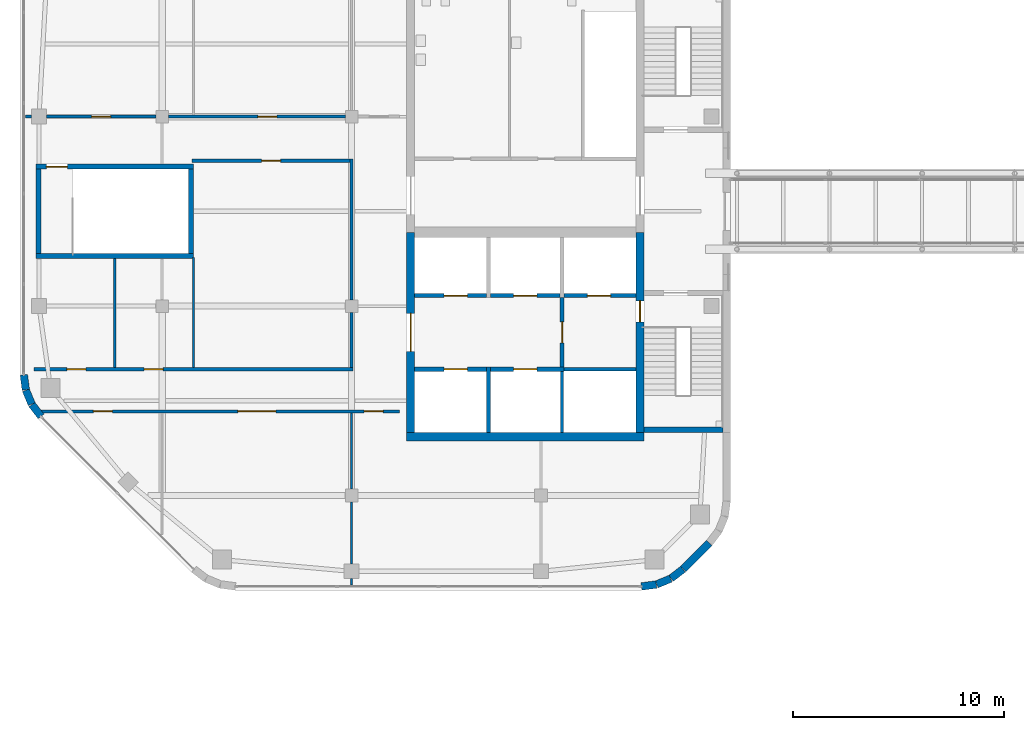
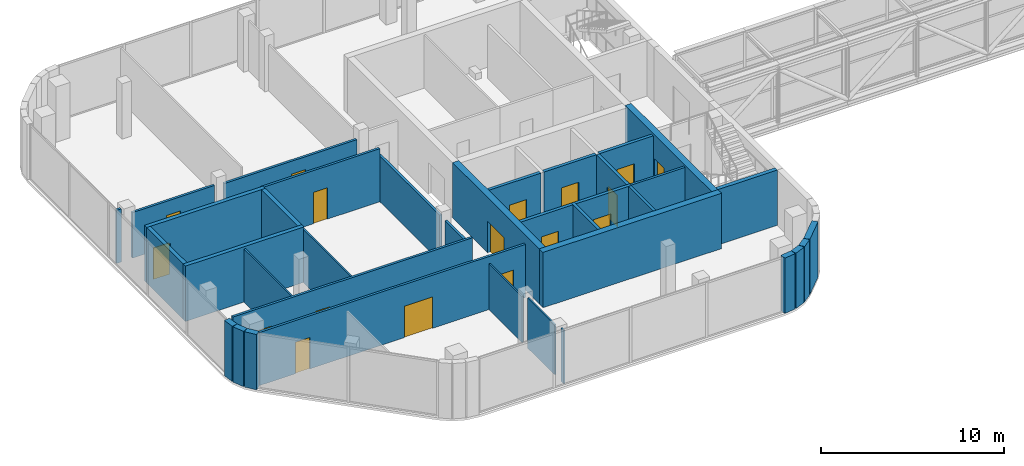
# One storey, part 11 of 21: 37 walls, 17 doors, 17 openings.
"""IFC4 building model written with IfcOpenShell, lengths in metres."""

from ifc_helpers import new_model, si_unit, direction, frame, frame_2d, origin, place, context, subcontext, project, spatial, rectangle, extrude, material, layer, layer_set, type_object, element, fill, save


model = new_model("IFC4")

# Units and contexts
model_context = context("Model", 3, precision=1e-05, world=origin(), true_north=direction((0.0, 1.0)))
body_context = subcontext(model_context, "Body", "Model", "MODEL_VIEW")
ifc_project = project(units=[si_unit("LENGTHUNIT", "METRE"), si_unit("AREAUNIT", "SQUARE_METRE"), si_unit("VOLUMEUNIT", "CUBIC_METRE"), si_unit("PLANEANGLEUNIT", "RADIAN"), si_unit("MASSUNIT", "GRAM", prefix="KILO")], contexts=[model_context])

# Site, building, storey
site_placement = place(None, origin())
site = spatial("IfcSite", under=ifc_project, at=site_placement, CompositionType="ELEMENT")
building_placement = place(site_placement, origin())
building = spatial("IfcBuilding", under=site, at=building_placement, Name="Cinnabar Reach Civic Tower", CompositionType="ELEMENT")
storey_placement = place(building_placement, frame((0.0, 0.0, 140.0)))
storey = spatial("IfcBuildingStorey", under=building, at=storey_placement, Name="L33", CompositionType="ELEMENT", Elevation=140.0)

# Walls
ifc_material_1 = material(Name="Facing brick with insulated backing", Category="masonry")
ifc_layer_1 = layer(ifc_material_1, 0.36)
ifc_layer_set_1 = layer_set([ifc_layer_1], Name="Brick corner wall")
wall_type_1 = type_object("IfcWallType", Name="Brick corner wall", PredefinedType="STANDARD", material=ifc_layer_set_1)
for number, where, z_axis, x_axis, name in (
    (1, (-31.2314, 13.683, 0.0), (0.0, 0.0, 1.0), (0.99144092581, 0.13055608231, 0.0), "Brick corner wall"),
    (2, (-30.5027, 13.7819, 0.0), (0.0, 0.0, 1.0), (0.923871547278, 0.382702709855, 0.0), "Brick corner wall"),
):
    element("IfcWall", number, at=place(storey_placement, frame(where, z_axis=z_axis, x_axis=x_axis)), inside=storey, type_object=wall_type_1, Name=name, PredefinedType="STANDARD", context=body_context, shape_type="SweptSolid", body=[
        extrude(rectangle(XDim=0.7131, YDim=0.36, at=frame_2d((0.3565, 0.0))), origin(), (0.0, 0.0, 1.0), 3.7),
    ])
wall_1_placement = place(storey_placement, frame((-29.8245, 14.066, 0.0), z_axis=(0.0, 0.0, 1.0), x_axis=(0.793321924995, 0.608802368033, 0.0)))
element("IfcWall", 3, at=wall_1_placement, inside=storey, type_object=wall_type_1, Name="Brick corner wall", PredefinedType="STANDARD", context=body_context, shape_type="SweptSolid", body=[
    extrude(rectangle(XDim=0.7132, YDim=0.36, at=frame_2d((0.3566, 0.0))), origin(), (0.0, 0.0, 1.0), 3.7),
])
for number, where, z_axis, x_axis, name in (
    (4, (-60.567, 23.7314, 0.0), (0.0, 0.0, 1.0), (0.13055608231, -0.99144092581, 0.0), "Brick corner wall"),
    (5, (-60.4681, 23.0027, 0.0), (0.0, 0.0, 1.0), (0.382702709855, -0.923871547278, 0.0), "Brick corner wall"),
):
    element("IfcWall", number, at=place(storey_placement, frame(where, z_axis=z_axis, x_axis=x_axis)), inside=storey, type_object=wall_type_1, Name=name, PredefinedType="STANDARD", context=body_context, shape_type="SweptSolid", body=[
        extrude(rectangle(XDim=0.7131, YDim=0.36, at=frame_2d((0.3565, 0.0))), origin(), (0.0, 0.0, 1.0), 3.7),
    ])
wall_2_placement = place(storey_placement, frame((-60.184, 22.3245, 0.0), z_axis=(0.0, 0.0, 1.0), x_axis=(0.608802368033, -0.793321924995, 0.0)))
element("IfcWall", 6, at=wall_2_placement, inside=storey, type_object=wall_type_1, Name="Brick corner wall", PredefinedType="STANDARD", context=body_context, shape_type="SweptSolid", body=[
    extrude(rectangle(XDim=0.7132, YDim=0.36, at=frame_2d((0.3566, 0.0))), origin(), (0.0, 0.0, 1.0), 3.7),
])
ifc_layer_2 = layer(ifc_material_1, 0.36)
ifc_layer_set_2 = layer_set([ifc_layer_2], Name="Brick pier and spandrel wall")
wall_type_2 = type_object("IfcWallType", Name="Brick pier and spandrel wall", PredefinedType="STANDARD", material=ifc_layer_set_2)
wall_3_placement = place(storey_placement, frame((-29.2486, 14.506, 0.0), z_axis=(0.0, 0.0, 1.0), x_axis=(0.707106781187, 0.707106781187, 0.0)))
element("IfcWall", 7, at=wall_3_placement, inside=storey, type_object=wall_type_2, Name="Brick facade wall", PredefinedType="STANDARD", context=body_context, shape_type="SweptSolid", body=[
    extrude(rectangle(XDim=1.7573, YDim=0.36, at=frame_2d((0.8787, 0.0))), origin(), (0.0, 0.0, 1.0), 3.7),
])
ifc_material_2 = material(Name="Concrete C60", Category="concrete")
ifc_layer_3 = layer(ifc_material_2, 0.4)
ifc_layer_set_3 = layer_set([ifc_layer_3], Name="Core wall 400 EI 180")
wall_type_3 = type_object("IfcWallType", Name="Core wall 400 EI 180", PredefinedType="SOLIDWALL", material=ifc_layer_set_3)
wall_4_placement = place(storey_placement, frame((-42.4, 20.8, 0.0), z_axis=(0.0, 0.0, 1.0), x_axis=(1.0, 0.0, 0.0)))
element("IfcWall", 8, at=wall_4_placement, inside=storey, type_object=wall_type_3, Name="Core wall T2 L33 S", PredefinedType="SOLIDWALL", context=body_context, shape_type="SweptSolid", body=[
    extrude(rectangle(XDim=11.3, YDim=0.4, at=frame_2d((5.65, 0.0))), origin(), (0.0, 0.0, 1.0), 3.7),
])

# Wall, opening, door
wall_5_placement = place(storey_placement, frame((-31.3, 21.0, 0.0), z_axis=(0.0, 0.0, 1.0), x_axis=(0.0, 1.0, 0.0)))
wall_5 = element("IfcWall", 9, at=wall_5_placement, inside=storey, type_object=wall_type_3, Name="Core wall T2 L33 E", PredefinedType="SOLIDWALL", context=body_context, shape_type="SweptSolid", body=[
    extrude(rectangle(XDim=9.5, YDim=0.4, at=frame_2d((4.75, 0.0))), origin(), (0.0, 0.0, 1.0), 3.7),
])
opening_1_placement = place(wall_5_placement, frame((5.25, 0.0, 0.0)))
opening_1 = element("IfcOpeningElement", 10, at=opening_1_placement, cuts=wall_5, Name="Opening D7171", PredefinedType="OPENING", context=body_context, shape_type="SweptSolid", body=[
    extrude(rectangle(XDim=1.0, YDim=2.1, at=frame_2d((0.5, 1.05))), frame((0.0, 0.21, 0.0), z_axis=(0.0, -1.0, 0.0), x_axis=(1.0, 0.0, 0.0)), (0.0, 0.0, 1.0), 0.42),
])
ifc_material_3 = material(Name="Steel fire door", Category="steel")
door_type_1 = type_object("IfcDoorType", Name="T2 Firefighting lobby door 1000", OperationType="SINGLE_SWING_LEFT", PredefinedType="DOOR", material=ifc_material_3)
door_1_placement = place(opening_1_placement, frame((1.0, 0.0, 0.0), z_axis=(0.0, 0.0, 1.0), x_axis=(-1.0, 0.0, 0.0)))
door_1 = element("IfcDoor", 11, at=door_1_placement, inside=storey, type_object=door_type_1, Name="T2 Firefighting lobby door D7171", OperationType="SINGLE_SWING_LEFT", OverallHeight=2.1, OverallWidth=1.0, PredefinedType="DOOR", context=body_context, shape_type="SweptSolid", body=[
    extrude(rectangle(XDim=1.0, YDim=2.1, at=frame_2d((0.5, 1.05))), frame((0.0, 0.025, 0.0), z_axis=(0.0, -1.0, 0.0), x_axis=(1.0, 0.0, 0.0)), (0.0, 0.0, 1.0), 0.05),
])
fill(opening_1, door_1)

wall_6_placement = place(storey_placement, frame((-42.2, 30.5, 0.0), z_axis=(0.0, 0.0, 1.0), x_axis=(0.0, -1.0, 0.0)))
wall_6 = element("IfcWall", 12, at=wall_6_placement, inside=storey, type_object=wall_type_3, Name="Core wall T2 L33 W2", PredefinedType="SOLIDWALL", context=body_context, shape_type="SweptSolid", body=[
    extrude(rectangle(XDim=9.5, YDim=0.4, at=frame_2d((4.75, 0.0))), origin(), (0.0, 0.0, 1.0), 3.7),
])
opening_2_placement = place(wall_6_placement, frame((3.85, 0.0, 0.0)))
opening_2 = element("IfcOpeningElement", 13, at=opening_2_placement, cuts=wall_6, Name="Opening D7175", PredefinedType="OPENING", context=body_context, shape_type="SweptSolid", body=[
    extrude(rectangle(XDim=1.8, YDim=2.1, at=frame_2d((0.9, 1.05))), frame((0.0, 0.21, 0.0), z_axis=(0.0, -1.0, 0.0), x_axis=(1.0, 0.0, 0.0)), (0.0, 0.0, 1.0), 0.42),
])
door_type_2 = type_object("IfcDoorType", Name="T2 Double door 1800", OperationType="DOUBLE_DOOR_SINGLE_SWING", PredefinedType="DOOR", material=ifc_material_3)
door_2_placement = place(opening_2_placement, origin())
door_2 = element("IfcDoor", 14, at=door_2_placement, inside=storey, type_object=door_type_2, Name="T2 Double door D7175", OperationType="DOUBLE_DOOR_SINGLE_SWING", OverallHeight=2.1, OverallWidth=1.8, PredefinedType="DOOR", context=body_context, shape_type="SweptSolid", body=[
    extrude(rectangle(XDim=1.8, YDim=2.1, at=frame_2d((0.9, 1.05))), frame((0.0, 0.025, 0.0), z_axis=(0.0, -1.0, 0.0), x_axis=(1.0, 0.0, 0.0)), (0.0, 0.0, 1.0), 0.05),
])
fill(opening_2, door_2)

ifc_material_4 = material(Name="Gypsum board on steel studs, double layer", Category="steel")
ifc_layer_4 = layer(ifc_material_4, 0.15)
ifc_layer_set_4 = layer_set([ifc_layer_4], Name="Corridor wall 150 T2")
wall_type_4 = type_object("IfcWallType", Name="Corridor wall 150 T2", PredefinedType="PARTITIONING", material=ifc_layer_set_4)
wall_7_placement = place(storey_placement, frame((-53.7, 36.0, 0.0), z_axis=(0.0, 0.0, 1.0), x_axis=(1.0, 0.0, 0.0)))
wall_7 = element("IfcWall", 15, at=wall_7_placement, inside=storey, type_object=wall_type_4, Name="Corridor wall 2", PredefinedType="PARTITIONING", context=body_context, shape_type="SweptSolid", body=[
    extrude(rectangle(XDim=8.4, YDim=0.15, at=frame_2d((4.2, 0.0))), origin(), (0.0, 0.0, 1.0), 2.962),
])
opening_3_placement = place(wall_7_placement, frame((4.25, 0.0, 0.0)))
opening_3 = element("IfcOpeningElement", 16, at=opening_3_placement, cuts=wall_7, Name="Opening D7184", PredefinedType="OPENING", context=body_context, shape_type="SweptSolid", body=[
    extrude(rectangle(XDim=0.9, YDim=2.1, at=frame_2d((0.45, 1.05))), frame((0.0, 0.085, 0.0), z_axis=(0.0, -1.0, 0.0), x_axis=(1.0, 0.0, 0.0)), (0.0, 0.0, 1.0), 0.17),
])
ifc_material_5 = material(Name="Timber door leaf in steel frame", Category="steel")
door_type_3 = type_object("IfcDoorType", Name="Single swing door 900 x 2100 T2", OperationType="SINGLE_SWING_LEFT", PredefinedType="DOOR", material=ifc_material_5)
door_3_placement = place(opening_3_placement, origin())
door_3 = element("IfcDoor", 17, at=door_3_placement, inside=storey, type_object=door_type_3, Name="Door D7184", OperationType="SINGLE_SWING_RIGHT", OverallHeight=2.1, OverallWidth=0.9, PredefinedType="DOOR", context=body_context, shape_type="SweptSolid", body=[
    extrude(rectangle(XDim=0.9, YDim=2.1, at=frame_2d((0.45, 1.05))), frame((0.0, 0.025, 0.0), z_axis=(0.0, -1.0, 0.0), x_axis=(1.0, 0.0, 0.0)), (0.0, 0.0, 1.0), 0.05),
])
fill(opening_3, door_3)

wall_8_placement = place(storey_placement, frame((-59.5, 36.0, 0.0), z_axis=(0.0, 0.0, 1.0), x_axis=(1.0, 0.0, 0.0)))
wall_8 = element("IfcWall", 18, at=wall_8_placement, inside=storey, type_object=wall_type_4, Name="Corridor wall 3", PredefinedType="PARTITIONING", context=body_context, shape_type="SweptSolid", body=[
    extrude(rectangle(XDim=5.2, YDim=0.15, at=frame_2d((2.6, 0.0))), origin(), (0.0, 0.0, 1.0), 3.05),
])
opening_4_placement = place(wall_8_placement, frame((2.15, 0.0, 0.0)))
opening_4 = element("IfcOpeningElement", 19, at=opening_4_placement, cuts=wall_8, Name="Opening D7183", PredefinedType="OPENING", context=body_context, shape_type="SweptSolid", body=[
    extrude(rectangle(XDim=0.9, YDim=2.1, at=frame_2d((0.45, 1.05))), frame((0.0, 0.085, 0.0), z_axis=(0.0, -1.0, 0.0), x_axis=(1.0, 0.0, 0.0)), (0.0, 0.0, 1.0), 0.17),
])
door_4_placement = place(opening_4_placement, origin())
door_4 = element("IfcDoor", 20, at=door_4_placement, inside=storey, type_object=door_type_3, Name="Door D7183", OperationType="SINGLE_SWING_RIGHT", OverallHeight=2.1, OverallWidth=0.9, PredefinedType="DOOR", context=body_context, shape_type="SweptSolid", body=[
    extrude(rectangle(XDim=0.9, YDim=2.1, at=frame_2d((0.45, 1.05))), frame((0.0, 0.025, 0.0), z_axis=(0.0, -1.0, 0.0), x_axis=(1.0, 0.0, 0.0)), (0.0, 0.0, 1.0), 0.05),
])
fill(opening_4, door_4)

# Wall
wall_9_placement = place(storey_placement, frame((-60.49, 36.0, 0.0), z_axis=(0.0, 0.0, 1.0), x_axis=(1.0, 0.0, 0.0)))
element("IfcWall", 21, at=wall_9_placement, inside=storey, type_object=wall_type_4, Name="Corridor wall 4", PredefinedType="PARTITIONING", context=body_context, shape_type="SweptSolid", body=[
    extrude(rectangle(XDim=0.29, YDim=0.15, at=frame_2d((0.145, 0.0))), origin(), (0.0, 0.0, 1.0), 3.55),
])

# Wall, openings, doors
wall_10_placement = place(storey_placement, frame((-59.7657, 22.0, 0.0), z_axis=(0.0, 0.0, 1.0), x_axis=(1.0, 0.0, 0.0)))
wall_10 = element("IfcWall", 22, at=wall_10_placement, inside=storey, type_object=wall_type_4, Name="Corridor wall 5", PredefinedType="PARTITIONING", context=body_context, shape_type="SweptSolid", body=[
    extrude(rectangle(XDim=17.0407, YDim=0.15, at=frame_2d((8.5204, 0.0))), origin(), (0.0, 0.0, 1.0), 3.55),
])
opening_5_placement = place(wall_10_placement, frame((15.3657, 0.0, 0.0)))
opening_5 = element("IfcOpeningElement", 23, at=opening_5_placement, cuts=wall_10, Name="Opening D7180", PredefinedType="OPENING", context=body_context, shape_type="SweptSolid", body=[
    extrude(rectangle(XDim=0.9, YDim=2.1, at=frame_2d((0.45, 1.05))), frame((0.0, 0.085, 0.0), z_axis=(0.0, -1.0, 0.0), x_axis=(1.0, 0.0, 0.0)), (0.0, 0.0, 1.0), 0.17),
])
opening_6_placement = place(wall_10_placement, frame((2.5, 0.0, 0.0)))
opening_6 = element("IfcOpeningElement", 24, at=opening_6_placement, cuts=wall_10, Name="Opening D7181", PredefinedType="OPENING", context=body_context, shape_type="SweptSolid", body=[
    extrude(rectangle(XDim=0.9, YDim=2.1, at=frame_2d((0.45, 1.05))), frame((0.0, 0.085, 0.0), z_axis=(0.0, -1.0, 0.0), x_axis=(1.0, 0.0, 0.0)), (0.0, 0.0, 1.0), 0.17),
])
opening_7_placement = place(wall_10_placement, frame((9.3657, 0.0, 0.0)))
opening_7 = element("IfcOpeningElement", 25, at=opening_7_placement, cuts=wall_10, Name="Opening D7182", PredefinedType="OPENING", context=body_context, shape_type="SweptSolid", body=[
    extrude(rectangle(XDim=1.8, YDim=2.1, at=frame_2d((0.9, 1.05))), frame((0.0, 0.085, 0.0), z_axis=(0.0, -1.0, 0.0), x_axis=(1.0, 0.0, 0.0)), (0.0, 0.0, 1.0), 0.17),
])
door_type_4 = type_object("IfcDoorType", Name="Double swing door 1800 x 2100 T2", OperationType="DOUBLE_DOOR_DOUBLE_SWING", PredefinedType="DOOR", material=ifc_material_5)
door_5_placement = place(opening_7_placement, frame((1.8, 0.0, 0.0), z_axis=(0.0, 0.0, 1.0), x_axis=(-1.0, 0.0, 0.0)))
door_5 = element("IfcDoor", 26, at=door_5_placement, inside=storey, type_object=door_type_4, Name="Door D7182", OperationType="DOUBLE_DOOR_DOUBLE_SWING", OverallHeight=2.1, OverallWidth=1.8, PredefinedType="DOOR", context=body_context, shape_type="SweptSolid", body=[
    extrude(rectangle(XDim=1.8, YDim=2.1, at=frame_2d((0.9, 1.05))), frame((0.0, 0.025, 0.0), z_axis=(0.0, -1.0, 0.0), x_axis=(1.0, 0.0, 0.0)), (0.0, 0.0, 1.0), 0.05),
])
fill(opening_7, door_5)
door_6_placement = place(opening_5_placement, frame((0.9, 0.0, 0.0), z_axis=(0.0, 0.0, 1.0), x_axis=(-1.0, 0.0, 0.0)))
door_6 = element("IfcDoor", 27, at=door_6_placement, inside=storey, type_object=door_type_3, Name="Door D7180", OperationType="SINGLE_SWING_RIGHT", OverallHeight=2.1, OverallWidth=0.9, PredefinedType="DOOR", context=body_context, shape_type="SweptSolid", body=[
    extrude(rectangle(XDim=0.9, YDim=2.1, at=frame_2d((0.45, 1.05))), frame((0.0, 0.025, 0.0), z_axis=(0.0, -1.0, 0.0), x_axis=(1.0, 0.0, 0.0)), (0.0, 0.0, 1.0), 0.05),
])
fill(opening_5, door_6)
door_7_placement = place(opening_6_placement, frame((0.9, 0.0, 0.0), z_axis=(0.0, 0.0, 1.0), x_axis=(-1.0, 0.0, 0.0)))
door_7 = element("IfcDoor", 28, at=door_7_placement, inside=storey, type_object=door_type_3, Name="Door D7181", OperationType="SINGLE_SWING_LEFT", OverallHeight=2.1, OverallWidth=0.9, PredefinedType="DOOR", context=body_context, shape_type="SweptSolid", body=[
    extrude(rectangle(XDim=0.9, YDim=2.1, at=frame_2d((0.45, 1.05))), frame((0.0, 0.025, 0.0), z_axis=(0.0, -1.0, 0.0), x_axis=(1.0, 0.0, 0.0)), (0.0, 0.0, 1.0), 0.05),
])
fill(opening_6, door_7)

wall_11_placement = place(storey_placement, frame((-60.075, 24.0, 0.0), z_axis=(0.0, 0.0, 1.0), x_axis=(1.0, 0.0, 0.0)))
wall_11 = element("IfcWall", 29, at=wall_11_placement, inside=storey, type_object=wall_type_4, Name="Corridor wall 6", PredefinedType="PARTITIONING", context=body_context, shape_type="SweptSolid", body=[
    extrude(rectangle(XDim=15.15, YDim=0.15, at=frame_2d((7.575, 0.0))), origin(), (0.0, 0.0, 1.0), 3.55),
])
opening_8_placement = place(wall_11_placement, frame((1.55, 0.0, 0.0)))
opening_8 = element("IfcOpeningElement", 30, at=opening_8_placement, cuts=wall_11, Name="Opening D7185", PredefinedType="OPENING", context=body_context, shape_type="SweptSolid", body=[
    extrude(rectangle(XDim=0.9, YDim=2.1, at=frame_2d((0.45, 1.05))), frame((0.0, 0.085, 0.0), z_axis=(0.0, -1.0, 0.0), x_axis=(1.0, 0.0, 0.0)), (0.0, 0.0, 1.0), 0.17),
])
opening_9_placement = place(wall_11_placement, frame((5.225, 0.0, 0.0)))
opening_9 = element("IfcOpeningElement", 31, at=opening_9_placement, cuts=wall_11, Name="Opening D7186", PredefinedType="OPENING", context=body_context, shape_type="SweptSolid", body=[
    extrude(rectangle(XDim=0.9, YDim=2.1, at=frame_2d((0.45, 1.05))), frame((0.0, 0.085, 0.0), z_axis=(0.0, -1.0, 0.0), x_axis=(1.0, 0.0, 0.0)), (0.0, 0.0, 1.0), 0.17),
])
door_8_placement = place(opening_8_placement, origin())
door_8 = element("IfcDoor", 32, at=door_8_placement, inside=storey, type_object=door_type_3, Name="Door D7185", OperationType="SINGLE_SWING_LEFT", OverallHeight=2.1, OverallWidth=0.9, PredefinedType="DOOR", context=body_context, shape_type="SweptSolid", body=[
    extrude(rectangle(XDim=0.9, YDim=2.1, at=frame_2d((0.45, 1.05))), frame((0.0, 0.025, 0.0), z_axis=(0.0, -1.0, 0.0), x_axis=(1.0, 0.0, 0.0)), (0.0, 0.0, 1.0), 0.05),
])
fill(opening_8, door_8)
door_9_placement = place(opening_9_placement, origin())
door_9 = element("IfcDoor", 33, at=door_9_placement, inside=storey, type_object=door_type_3, Name="Door D7186", OperationType="SINGLE_SWING_LEFT", OverallHeight=2.1, OverallWidth=0.9, PredefinedType="DOOR", context=body_context, shape_type="SweptSolid", body=[
    extrude(rectangle(XDim=0.9, YDim=2.1, at=frame_2d((0.45, 1.05))), frame((0.0, 0.025, 0.0), z_axis=(0.0, -1.0, 0.0), x_axis=(1.0, 0.0, 0.0)), (0.0, 0.0, 1.0), 0.05),
])
fill(opening_9, door_9)

# Walls
wall_12_placement = place(storey_placement, frame((-45.0, 24.075, 0.0), z_axis=(0.0, 0.0, 1.0), x_axis=(0.0, 1.0, 0.0)))
element("IfcWall", 34, at=wall_12_placement, inside=storey, type_object=wall_type_4, Name="Corridor wall 7", PredefinedType="PARTITIONING", context=body_context, shape_type="SweptSolid", body=[
    extrude(rectangle(XDim=2.625, YDim=0.15, at=frame_2d((1.3125, 0.0))), origin(), (0.0, 0.0, 1.0), 3.062),
])
wall_13_placement = place(storey_placement, frame((-45.0, 27.3, 0.0), z_axis=(0.0, 0.0, 1.0), x_axis=(0.0, 1.0, 0.0)))
element("IfcWall", 35, at=wall_13_placement, inside=storey, type_object=wall_type_4, Name="Corridor wall 8", PredefinedType="PARTITIONING", context=body_context, shape_type="SweptSolid", body=[
    extrude(rectangle(XDim=6.675, YDim=0.15, at=frame_2d((3.3375, 0.0))), origin(), (0.0, 0.0, 1.0), 3.062),
])

# Wall, opening, door
wall_14_placement = place(storey_placement, frame((-52.575, 33.9, 0.0), z_axis=(0.0, 0.0, 1.0), x_axis=(1.0, 0.0, 0.0)))
wall_14 = element("IfcWall", 36, at=wall_14_placement, inside=storey, type_object=wall_type_4, Name="Corridor wall 9", PredefinedType="PARTITIONING", context=body_context, shape_type="SweptSolid", body=[
    extrude(rectangle(XDim=7.5, YDim=0.15, at=frame_2d((3.75, 0.0))), origin(), (0.0, 0.0, 1.0), 3.55),
])
opening_10_placement = place(wall_14_placement, frame((3.3, 0.0, 0.0)))
opening_10 = element("IfcOpeningElement", 37, at=opening_10_placement, cuts=wall_14, Name="Opening D7187", PredefinedType="OPENING", context=body_context, shape_type="SweptSolid", body=[
    extrude(rectangle(XDim=0.9, YDim=2.1, at=frame_2d((0.45, 1.05))), frame((0.0, 0.085, 0.0), z_axis=(0.0, -1.0, 0.0), x_axis=(1.0, 0.0, 0.0)), (0.0, 0.0, 1.0), 0.17),
])
door_10_placement = place(opening_10_placement, frame((0.9, 0.0, 0.0), z_axis=(0.0, 0.0, 1.0), x_axis=(-1.0, 0.0, 0.0)))
door_10 = element("IfcDoor", 38, at=door_10_placement, inside=storey, type_object=door_type_3, Name="Door D7187", OperationType="SINGLE_SWING_LEFT", OverallHeight=2.1, OverallWidth=0.9, PredefinedType="DOOR", context=body_context, shape_type="SweptSolid", body=[
    extrude(rectangle(XDim=0.9, YDim=2.1, at=frame_2d((0.45, 1.05))), frame((0.0, 0.025, 0.0), z_axis=(0.0, -1.0, 0.0), x_axis=(1.0, 0.0, 0.0)), (0.0, 0.0, 1.0), 0.05),
])
fill(opening_10, door_10)

# Walls
ifc_material_6 = material(Name="Gypsum board on steel studs", Category="steel")
ifc_layer_5 = layer(ifc_material_6, 0.1)
ifc_layer_set_5 = layer_set([ifc_layer_5], Name="Partition wall 100 T2")
wall_type_5 = type_object("IfcWallType", Name="Partition wall 100 T2", PredefinedType="PARTITIONING", material=ifc_layer_set_5)
wall_15_placement = place(storey_placement, frame((-45.0, 18.3, 0.0), z_axis=(0.0, 0.0, 1.0), x_axis=(0.0, 1.0, 0.0)))
element("IfcWall", 39, at=wall_15_placement, inside=storey, type_object=wall_type_5, Name="Partition wall 14", PredefinedType="PARTITIONING", context=body_context, shape_type="SweptSolid", body=[
    extrude(rectangle(XDim=3.625, YDim=0.1, at=frame_2d((1.8125, 0.0))), origin(), (0.0, 0.0, 1.0), 3.062),
])
wall_16_placement = place(storey_placement, frame((-45.0, 14.75, 0.0), z_axis=(0.0, 0.0, 1.0), x_axis=(0.0, 1.0, 0.0)))
element("IfcWall", 40, at=wall_16_placement, inside=storey, type_object=wall_type_5, Name="Partition wall 15", PredefinedType="PARTITIONING", context=body_context, shape_type="SweptSolid", body=[
    extrude(rectangle(XDim=2.95, YDim=0.1, at=frame_2d((1.475, 0.0))), origin(), (0.0, 0.0, 1.0), 3.352),
])
wall_17_placement = place(storey_placement, frame((-45.0, 13.76, 0.0), z_axis=(0.0, 0.0, 1.0), x_axis=(0.0, 1.0, 0.0)))
element("IfcWall", 41, at=wall_17_placement, inside=storey, type_object=wall_type_5, Name="Partition wall 16", PredefinedType="PARTITIONING", context=body_context, shape_type="SweptSolid", body=[
    extrude(rectangle(XDim=0.29, YDim=0.1, at=frame_2d((0.145, 0.0))), origin(), (0.0, 0.0, 1.0), 3.55),
])
wall_18_placement = place(storey_placement, frame((-56.25, 24.075, 0.0), z_axis=(0.0, 0.0, 1.0), x_axis=(0.0, 1.0, 0.0)))
element("IfcWall", 42, at=wall_18_placement, inside=storey, type_object=wall_type_5, Name="Partition wall 18", PredefinedType="PARTITIONING", context=body_context, shape_type="SweptSolid", body=[
    extrude(rectangle(XDim=5.175, YDim=0.1, at=frame_2d((2.5875, 0.0))), origin(), (0.0, 0.0, 1.0), 3.55),
])
wall_19_placement = place(storey_placement, frame((-52.5, 24.075, 0.0), z_axis=(0.0, 0.0, 1.0), x_axis=(0.0, 1.0, 0.0)))
element("IfcWall", 43, at=wall_19_placement, inside=storey, type_object=wall_type_5, Name="Partition wall 19", PredefinedType="PARTITIONING", context=body_context, shape_type="SweptSolid", body=[
    extrude(rectangle(XDim=5.225, YDim=0.1, at=frame_2d((2.6125, 0.0))), origin(), (0.0, 0.0, 1.0), 3.55),
])
ifc_layer_6 = layer(ifc_material_2, 0.25)
ifc_layer_set_6 = layer_set([ifc_layer_6], Name="Stair shaft wall 250 EI 120")
wall_type_6 = type_object("IfcWallType", Name="Stair shaft wall 250 EI 120", PredefinedType="SOLIDWALL", material=ifc_layer_set_6)
wall_20_placement = place(storey_placement, frame((-31.1, 21.125, 0.0), z_axis=(0.0, 0.0, 1.0), x_axis=(1.0, 0.0, 0.0)))
element("IfcWall", 44, at=wall_20_placement, inside=storey, type_object=wall_type_6, Name="Stair shaft wall T2-S1 L33", PredefinedType="SOLIDWALL", context=body_context, shape_type="SweptSolid", body=[
    extrude(rectangle(XDim=3.74, YDim=0.25, at=frame_2d((1.87, 0.0))), origin(), (0.0, 0.0, 1.0), 3.7),
])
wall_21_placement = place(storey_placement, frame((-60.0, 29.375, 0.0), z_axis=(0.0, 0.0, 1.0), x_axis=(1.0, 0.0, 0.0)))
element("IfcWall", 45, at=wall_21_placement, inside=storey, type_object=wall_type_6, Name="Stair shaft wall T2-S3 L33", PredefinedType="SOLIDWALL", context=body_context, shape_type="SweptSolid", body=[
    extrude(rectangle(XDim=7.5, YDim=0.25, at=frame_2d((3.75, 0.0))), origin(), (0.0, 0.0, 1.0), 3.7),
])

# Wall, opening, door
wall_22_placement = place(storey_placement, frame((-52.5, 33.625, 0.0), z_axis=(0.0, 0.0, 1.0), x_axis=(-1.0, 0.0, 0.0)))
wall_22 = element("IfcWall", 46, at=wall_22_placement, inside=storey, type_object=wall_type_6, Name="Stair shaft wall T2-S3 L33", PredefinedType="SOLIDWALL", context=body_context, shape_type="SweptSolid", body=[
    extrude(rectangle(XDim=7.5, YDim=0.25, at=frame_2d((3.75, 0.0))), origin(), (0.0, 0.0, 1.0), 3.7),
])
opening_11_placement = place(wall_22_placement, frame((6.0, 0.0, 0.0)))
opening_11 = element("IfcOpeningElement", 47, at=opening_11_placement, cuts=wall_22, Name="Opening D7188", PredefinedType="OPENING", context=body_context, shape_type="SweptSolid", body=[
    extrude(rectangle(XDim=1.0, YDim=2.1, at=frame_2d((0.5, 1.05))), frame((0.0, 0.135, 0.0), z_axis=(0.0, -1.0, 0.0), x_axis=(1.0, 0.0, 0.0)), (0.0, 0.0, 1.0), 0.27),
])
door_type_5 = type_object("IfcDoorType", Name="Stair door 1000 x 2100 T2", OperationType="SINGLE_SWING_LEFT", PredefinedType="DOOR", material=ifc_material_5)
door_11_placement = place(opening_11_placement, origin())
door_11 = element("IfcDoor", 48, at=door_11_placement, inside=storey, type_object=door_type_5, Name="Door D7188", OperationType="SINGLE_SWING_RIGHT", OverallHeight=2.1, OverallWidth=1.0, PredefinedType="DOOR", context=body_context, shape_type="SweptSolid", body=[
    extrude(rectangle(XDim=1.0, YDim=2.1, at=frame_2d((0.5, 1.05))), frame((0.0, 0.025, 0.0), z_axis=(0.0, -1.0, 0.0), x_axis=(1.0, 0.0, 0.0)), (0.0, 0.0, 1.0), 0.05),
])
fill(opening_11, door_11)

# Walls
for number, where, z_axis, x_axis, name in (
    (49, (-52.625, 29.5, 0.0), (0.0, 0.0, 1.0), (0.0, 1.0, 0.0), "Stair shaft wall T2-S3 L33"),
    (50, (-59.875, 33.5, 0.0), (0.0, 0.0, 1.0), (0.0, -1.0, 0.0), "Stair shaft wall T2-S3 L33"),
):
    element("IfcWall", number, at=place(storey_placement, frame(where, z_axis=z_axis, x_axis=x_axis)), inside=storey, type_object=wall_type_6, Name=name, PredefinedType="SOLIDWALL", context=body_context, shape_type="SweptSolid", body=[
        extrude(rectangle(XDim=4.0, YDim=0.25, at=frame_2d((2.0, 0.0))), origin(), (0.0, 0.0, 1.0), 3.7),
    ])
ifc_material_7 = material(Name="Concrete C40", Category="concrete")
ifc_layer_7 = layer(ifc_material_7, 0.15)
ifc_layer_set_7 = layer_set([ifc_layer_7], Name="T2 Riser wall 150")
wall_type_7 = type_object("IfcWallType", Name="T2 Riser wall 150", PredefinedType="SOLIDWALL", material=ifc_layer_set_7)
wall_23_placement = place(storey_placement, frame((-35.0, 21.0, 0.0), z_axis=(0.0, 0.0, 1.0), x_axis=(0.0, 1.0, 0.0)))
element("IfcWall", 51, at=wall_23_placement, inside=storey, type_object=wall_type_7, Name="T2 Riser wall L33 010", PredefinedType="SOLIDWALL", context=body_context, shape_type="SweptSolid", body=[
    extrude(rectangle(XDim=2.9, YDim=0.15, at=frame_2d((1.45, 0.0))), origin(), (0.0, 0.0, 1.0), 3.55),
])
wall_24_placement = place(storey_placement, frame((-31.5, 24.0, 0.0), z_axis=(0.0, 0.0, 1.0), x_axis=(-1.0, 0.0, 0.0)))
element("IfcWall", 52, at=wall_24_placement, inside=storey, type_object=wall_type_7, Name="T2 Riser wall L33 011", PredefinedType="SOLIDWALL", context=body_context, shape_type="SweptSolid", body=[
    extrude(rectangle(XDim=3.4, YDim=0.15, at=frame_2d((1.7, 0.0))), origin(), (0.0, 0.0, 1.0), 3.55),
])
ifc_layer_8 = layer(ifc_material_7, 0.2)
ifc_layer_set_8 = layer_set([ifc_layer_8], Name="T2 Shaft wall 200")
wall_type_8 = type_object("IfcWallType", Name="T2 Shaft wall 200", PredefinedType="SOLIDWALL", material=ifc_layer_set_8)
wall_25_placement = place(storey_placement, frame((-38.5, 21.0, 0.0), z_axis=(0.0, 0.0, 1.0), x_axis=(0.0, 1.0, 0.0)))
element("IfcWall", 53, at=wall_25_placement, inside=storey, type_object=wall_type_8, Name="T2 Shaft wall L33 001", PredefinedType="SOLIDWALL", context=body_context, shape_type="SweptSolid", body=[
    extrude(rectangle(XDim=3.1, YDim=0.2, at=frame_2d((1.55, 0.0))), origin(), (0.0, 0.0, 1.0), 3.55),
])

# Wall, opening, door
wall_26_placement = place(storey_placement, frame((-38.6, 24.0, 0.0), z_axis=(0.0, 0.0, 1.0), x_axis=(-1.0, 0.0, 0.0)))
wall_26 = element("IfcWall", 54, at=wall_26_placement, inside=storey, type_object=wall_type_8, Name="T2 Shaft wall L33 002", PredefinedType="SOLIDWALL", context=body_context, shape_type="SweptSolid", body=[
    extrude(rectangle(XDim=3.4, YDim=0.2, at=frame_2d((1.7, 0.0))), origin(), (0.0, 0.0, 1.0), 3.55),
])
opening_12_placement = place(wall_26_placement, frame((0.9, 0.0, 0.0)))
opening_12 = element("IfcOpeningElement", 55, at=opening_12_placement, cuts=wall_26, Name="Opening D7165", PredefinedType="OPENING", context=body_context, shape_type="SweptSolid", body=[
    extrude(rectangle(XDim=1.1, YDim=2.1, at=frame_2d((0.55, 1.05))), frame((0.0, 0.11, 0.0), z_axis=(0.0, -1.0, 0.0), x_axis=(1.0, 0.0, 0.0)), (0.0, 0.0, 1.0), 0.22),
])
door_type_6 = type_object("IfcDoorType", Name="T2 Lift landing door 1100", OperationType="SLIDING_TO_LEFT", PredefinedType="DOOR", material=ifc_material_3)
door_12_placement = place(opening_12_placement, origin())
door_12 = element("IfcDoor", 56, at=door_12_placement, inside=storey, type_object=door_type_6, Name="T2 Lift landing door D7165", OperationType="SLIDING_TO_LEFT", OverallHeight=2.1, OverallWidth=1.1, PredefinedType="DOOR", context=body_context, shape_type="SweptSolid", body=[
    extrude(rectangle(XDim=1.1, YDim=2.1, at=frame_2d((0.55, 1.05))), frame((0.0, 0.025, 0.0), z_axis=(0.0, -1.0, 0.0), x_axis=(1.0, 0.0, 0.0)), (0.0, 0.0, 1.0), 0.05),
])
fill(opening_12, door_12)

wall_27_placement = place(storey_placement, frame((-34.9, 24.0, 0.0), z_axis=(0.0, 0.0, 1.0), x_axis=(-1.0, 0.0, 0.0)))
wall_27 = element("IfcWall", 57, at=wall_27_placement, inside=storey, type_object=wall_type_8, Name="T2 Shaft wall L33 003", PredefinedType="SOLIDWALL", context=body_context, shape_type="SweptSolid", body=[
    extrude(rectangle(XDim=3.5, YDim=0.2, at=frame_2d((1.75, 0.0))), origin(), (0.0, 0.0, 1.0), 3.55),
])
opening_13_placement = place(wall_27_placement, frame((1.3, 0.0, 0.0)))
opening_13 = element("IfcOpeningElement", 58, at=opening_13_placement, cuts=wall_27, Name="Opening D7166", PredefinedType="OPENING", context=body_context, shape_type="SweptSolid", body=[
    extrude(rectangle(XDim=1.1, YDim=2.1, at=frame_2d((0.55, 1.05))), frame((0.0, 0.11, 0.0), z_axis=(0.0, -1.0, 0.0), x_axis=(1.0, 0.0, 0.0)), (0.0, 0.0, 1.0), 0.22),
])
door_13_placement = place(opening_13_placement, origin())
door_13 = element("IfcDoor", 59, at=door_13_placement, inside=storey, type_object=door_type_6, Name="T2 Lift landing door D7166", OperationType="SLIDING_TO_LEFT", OverallHeight=2.1, OverallWidth=1.1, PredefinedType="DOOR", context=body_context, shape_type="SweptSolid", body=[
    extrude(rectangle(XDim=1.1, YDim=2.1, at=frame_2d((0.55, 1.05))), frame((0.0, 0.025, 0.0), z_axis=(0.0, -1.0, 0.0), x_axis=(1.0, 0.0, 0.0)), (0.0, 0.0, 1.0), 0.05),
])
fill(opening_13, door_13)

wall_28_placement = place(storey_placement, frame((-42.0, 27.5, 0.0), z_axis=(0.0, 0.0, 1.0), x_axis=(1.0, 0.0, 0.0)))
wall_28 = element("IfcWall", 60, at=wall_28_placement, inside=storey, type_object=wall_type_8, Name="T2 Shaft wall L33 005", PredefinedType="SOLIDWALL", context=body_context, shape_type="SweptSolid", body=[
    extrude(rectangle(XDim=3.4, YDim=0.2, at=frame_2d((1.7, 0.0))), origin(), (0.0, 0.0, 1.0), 3.55),
])
opening_14_placement = place(wall_28_placement, frame((1.4, 0.0, 0.0)))
opening_14 = element("IfcOpeningElement", 61, at=opening_14_placement, cuts=wall_28, Name="Opening D7167", PredefinedType="OPENING", context=body_context, shape_type="SweptSolid", body=[
    extrude(rectangle(XDim=1.1, YDim=2.1, at=frame_2d((0.55, 1.05))), frame((0.0, 0.11, 0.0), z_axis=(0.0, -1.0, 0.0), x_axis=(1.0, 0.0, 0.0)), (0.0, 0.0, 1.0), 0.22),
])
door_14_placement = place(opening_14_placement, origin())
door_14 = element("IfcDoor", 62, at=door_14_placement, inside=storey, type_object=door_type_6, Name="T2 Lift landing door D7167", OperationType="SLIDING_TO_LEFT", OverallHeight=2.1, OverallWidth=1.1, PredefinedType="DOOR", context=body_context, shape_type="SweptSolid", body=[
    extrude(rectangle(XDim=1.1, YDim=2.1, at=frame_2d((0.55, 1.05))), frame((0.0, 0.025, 0.0), z_axis=(0.0, -1.0, 0.0), x_axis=(1.0, 0.0, 0.0)), (0.0, 0.0, 1.0), 0.05),
])
fill(opening_14, door_14)

wall_29_placement = place(storey_placement, frame((-38.4, 27.5, 0.0), z_axis=(0.0, 0.0, 1.0), x_axis=(1.0, 0.0, 0.0)))
wall_29 = element("IfcWall", 63, at=wall_29_placement, inside=storey, type_object=wall_type_8, Name="T2 Shaft wall L33 007", PredefinedType="SOLIDWALL", context=body_context, shape_type="SweptSolid", body=[
    extrude(rectangle(XDim=3.3, YDim=0.2, at=frame_2d((1.65, 0.0))), origin(), (0.0, 0.0, 1.0), 3.55),
])
opening_15_placement = place(wall_29_placement, frame((1.1, 0.0, 0.0)))
opening_15 = element("IfcOpeningElement", 64, at=opening_15_placement, cuts=wall_29, Name="Opening D7168", PredefinedType="OPENING", context=body_context, shape_type="SweptSolid", body=[
    extrude(rectangle(XDim=1.1, YDim=2.1, at=frame_2d((0.55, 1.05))), frame((0.0, 0.11, 0.0), z_axis=(0.0, -1.0, 0.0), x_axis=(1.0, 0.0, 0.0)), (0.0, 0.0, 1.0), 0.22),
])
door_15_placement = place(opening_15_placement, origin())
door_15 = element("IfcDoor", 65, at=door_15_placement, inside=storey, type_object=door_type_6, Name="T2 Lift landing door D7168", OperationType="SLIDING_TO_LEFT", OverallHeight=2.1, OverallWidth=1.1, PredefinedType="DOOR", context=body_context, shape_type="SweptSolid", body=[
    extrude(rectangle(XDim=1.1, YDim=2.1, at=frame_2d((0.55, 1.05))), frame((0.0, 0.025, 0.0), z_axis=(0.0, -1.0, 0.0), x_axis=(1.0, 0.0, 0.0)), (0.0, 0.0, 1.0), 0.05),
])
fill(opening_15, door_15)

wall_30_placement = place(storey_placement, frame((-34.9, 27.5, 0.0), z_axis=(0.0, 0.0, 1.0), x_axis=(1.0, 0.0, 0.0)))
wall_30 = element("IfcWall", 66, at=wall_30_placement, inside=storey, type_object=wall_type_8, Name="T2 Shaft wall L33 008", PredefinedType="SOLIDWALL", context=body_context, shape_type="SweptSolid", body=[
    extrude(rectangle(XDim=3.4, YDim=0.2, at=frame_2d((1.7, 0.0))), origin(), (0.0, 0.0, 1.0), 3.55),
])
opening_16_placement = place(wall_30_placement, frame((1.1, 0.0, 0.0)))
opening_16 = element("IfcOpeningElement", 67, at=opening_16_placement, cuts=wall_30, Name="Opening D7169", PredefinedType="OPENING", context=body_context, shape_type="SweptSolid", body=[
    extrude(rectangle(XDim=1.1, YDim=2.1, at=frame_2d((0.55, 1.05))), frame((0.0, 0.11, 0.0), z_axis=(0.0, -1.0, 0.0), x_axis=(1.0, 0.0, 0.0)), (0.0, 0.0, 1.0), 0.22),
])
door_type_7 = type_object("IfcDoorType", Name="T2 Firefighting lift landing door 1100", OperationType="SLIDING_TO_LEFT", PredefinedType="DOOR", material=ifc_material_3)
door_16_placement = place(opening_16_placement, origin())
door_16 = element("IfcDoor", 68, at=door_16_placement, inside=storey, type_object=door_type_7, Name="T2 Firefighting lift landing door D7169", OperationType="SLIDING_TO_LEFT", OverallHeight=2.1, OverallWidth=1.1, PredefinedType="DOOR", context=body_context, shape_type="SweptSolid", body=[
    extrude(rectangle(XDim=1.1, YDim=2.1, at=frame_2d((0.55, 1.05))), frame((0.0, 0.025, 0.0), z_axis=(0.0, -1.0, 0.0), x_axis=(1.0, 0.0, 0.0)), (0.0, 0.0, 1.0), 0.05),
])
fill(opening_16, door_16)

wall_31_placement = place(storey_placement, frame((-35.0, 24.1, 0.0), z_axis=(0.0, 0.0, 1.0), x_axis=(0.0, 1.0, 0.0)))
wall_31 = element("IfcWall", 69, at=wall_31_placement, inside=storey, type_object=wall_type_8, Name="T2 Shaft wall L33 009", PredefinedType="SOLIDWALL", context=body_context, shape_type="SweptSolid", body=[
    extrude(rectangle(XDim=3.3, YDim=0.2, at=frame_2d((1.65, 0.0))), origin(), (0.0, 0.0, 1.0), 3.55),
])
opening_17_placement = place(wall_31_placement, frame((1.15, 0.0, 0.0)))
opening_17 = element("IfcOpeningElement", 70, at=opening_17_placement, cuts=wall_31, Name="Opening D7170", PredefinedType="OPENING", context=body_context, shape_type="SweptSolid", body=[
    extrude(rectangle(XDim=1.0, YDim=2.1, at=frame_2d((0.5, 1.05))), frame((0.0, 0.11, 0.0), z_axis=(0.0, -1.0, 0.0), x_axis=(1.0, 0.0, 0.0)), (0.0, 0.0, 1.0), 0.22),
])
door_17_placement = place(opening_17_placement, origin())
door_17 = element("IfcDoor", 71, at=door_17_placement, inside=storey, type_object=door_type_1, Name="T2 Firefighting lobby door D7170", OperationType="SINGLE_SWING_LEFT", OverallHeight=2.1, OverallWidth=1.0, PredefinedType="DOOR", context=body_context, shape_type="SweptSolid", body=[
    extrude(rectangle(XDim=1.0, YDim=2.1, at=frame_2d((0.5, 1.05))), frame((0.0, 0.025, 0.0), z_axis=(0.0, -1.0, 0.0), x_axis=(1.0, 0.0, 0.0)), (0.0, 0.0, 1.0), 0.05),
])
fill(opening_17, door_17)

save(model, "model.ifc")
